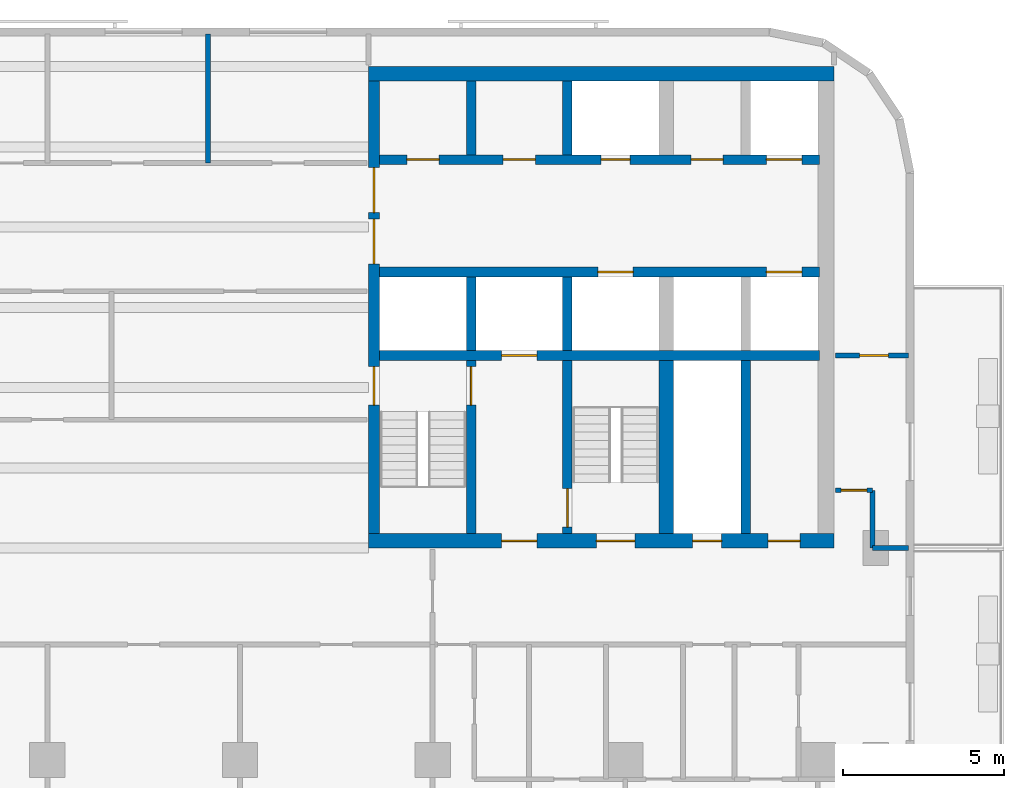
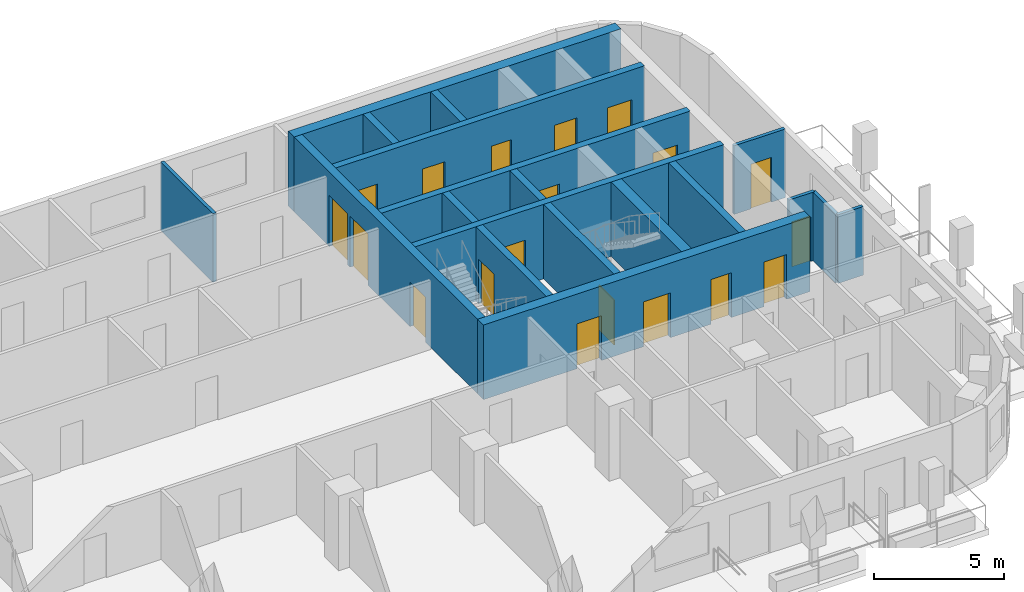
# One storey, part 6 of 11: 19 doors, 19 walls, 19 openings.
"""IFC4 building model written with IfcOpenShell, lengths in metres."""

from ifc_helpers import new_model, si_unit, direction, frame, frame_2d, origin, place, context, subcontext, project, spatial, rectangle, extrude, material, layer, layer_set, type_object, element, fill, save


model = new_model("IFC4")

# Units and contexts
model_context = context("Model", 3, precision=1e-05, world=origin(), true_north=direction((0.0, 1.0)))
body_context = subcontext(model_context, "Body", "Model", "MODEL_VIEW")
ifc_project = project(units=[si_unit("LENGTHUNIT", "METRE"), si_unit("AREAUNIT", "SQUARE_METRE"), si_unit("VOLUMEUNIT", "CUBIC_METRE"), si_unit("PLANEANGLEUNIT", "RADIAN"), si_unit("MASSUNIT", "GRAM", prefix="KILO")], contexts=[model_context])

# Site, building, storey
site_placement = place(None, origin())
site = spatial("IfcSite", under=ifc_project, at=site_placement, CompositionType="ELEMENT")
building_placement = place(site_placement, origin())
building = spatial("IfcBuilding", under=site, at=building_placement, Name="Torana Hotel and Residences", CompositionType="ELEMENT")
storey_placement = place(building_placement, frame((0.0, 0.0, 194.10009765625)))
storey = spatial("IfcBuildingStorey", under=building, at=storey_placement, Name="L50", CompositionType="ELEMENT", Elevation=194.10009765625)

# Wall, openings, doors
ifc_material_1 = material(Name="Concrete C70/85", Category="concrete")
ifc_layer_1 = layer(ifc_material_1, 0.300048828125)
ifc_layer_set_1 = layer_set([ifc_layer_1], Name="CORE WALL 300 C70/85")
wall_type_1 = type_object("IfcWallType", Name="CORE WALL 300 C70/85", PredefinedType="SHEAR", material=ifc_layer_set_1)
wall_1_placement = place(storey_placement, frame((10.35009765625, -2.89990234375, 0.0), z_axis=(0.0, 0.0, 1.0), x_axis=(1.0, 0.0, 0.0)))
wall_1 = element("IfcWall", 1, at=wall_1_placement, inside=storey, type_object=wall_type_1, Name="Core wall E row-N", PredefinedType="SHEAR", context=body_context, shape_type="SweptSolid", body=[
    extrude(rectangle(XDim=13.699951171875, YDim=0.300048828125, at=frame_2d((6.85009765625, 0.0))), origin(), (0.0, 0.0, 1.0), 3.5),
])
opening_1_placement = place(wall_1_placement, frame((12.050048828125, 0.0, 0.0)))
opening_1 = element("IfcOpeningElement", 2, at=opening_1_placement, cuts=wall_1, Name="Opening LD", PredefinedType="OPENING", context=body_context, shape_type="SweptSolid", body=[
    extrude(rectangle(XDim=1.10009765625, YDim=2.10009765625, at=frame_2d((0.550048828125, 1.050048828125))), frame((0.0, 0.159912109375, 0.0), z_axis=(0.0, -1.0, 0.0), x_axis=(1.0, 0.0, 0.0)), (0.0, 0.0, 1.0), 0.320068359375),
])
opening_2_placement = place(wall_1_placement, frame((6.89990234375, 0.0, 0.0)))
opening_2 = element("IfcOpeningElement", 3, at=opening_2_placement, cuts=wall_1, Name="Opening L50-21", PredefinedType="OPENING", context=body_context, shape_type="SweptSolid", body=[
    extrude(rectangle(XDim=0.89990234375, YDim=2.10009765625, at=frame_2d((0.449951171875, 1.050048828125))), frame((0.0, 0.159912109375, 0.0), z_axis=(0.0, -1.0, 0.0), x_axis=(1.0, 0.0, 0.0)), (0.0, 0.0, 1.0), 0.320068359375),
])
opening_3_placement = place(wall_1_placement, frame((0.85009765625, 0.0, 0.0)))
opening_3 = element("IfcOpeningElement", 4, at=opening_3_placement, cuts=wall_1, Name="Opening L50-22", PredefinedType="OPENING", context=body_context, shape_type="SweptSolid", body=[
    extrude(rectangle(XDim=1.0, YDim=2.10009765625, at=frame_2d((0.5, 1.050048828125))), frame((0.0, 0.159912109375, 0.0), z_axis=(0.0, -1.0, 0.0), x_axis=(1.0, 0.0, 0.0)), (0.0, 0.0, 1.0), 0.320068359375),
])
opening_4_placement = place(wall_1_placement, frame((3.85009765625, 0.0, 0.0)))
opening_4 = element("IfcOpeningElement", 5, at=opening_4_placement, cuts=wall_1, Name="Opening L50-23", PredefinedType="OPENING", context=body_context, shape_type="SweptSolid", body=[
    extrude(rectangle(XDim=1.0, YDim=2.10009765625, at=frame_2d((0.5, 1.050048828125))), frame((0.0, 0.159912109375, 0.0), z_axis=(0.0, -1.0, 0.0), x_axis=(1.0, 0.0, 0.0)), (0.0, 0.0, 1.0), 0.320068359375),
])
opening_5_placement = place(wall_1_placement, frame((9.699951171875, 0.0, 0.0)))
opening_5 = element("IfcOpeningElement", 6, at=opening_5_placement, cuts=wall_1, Name="Opening L50-24", PredefinedType="OPENING", context=body_context, shape_type="SweptSolid", body=[
    extrude(rectangle(XDim=1.0, YDim=2.10009765625, at=frame_2d((0.5, 1.050048828125))), frame((0.0, 0.159912109375, 0.0), z_axis=(0.0, -1.0, 0.0), x_axis=(1.0, 0.0, 0.0)), (0.0, 0.0, 1.0), 0.320068359375),
])
ifc_material_2 = material(Name="Steel S235", Category="steel")
door_type_1 = type_object("IfcDoorType", Name="CORE ROOM FIRE DOOR D14 1000x2100", OperationType="SINGLE_SWING_LEFT", PredefinedType="DOOR", material=ifc_material_2)
door_1_placement = place(opening_3_placement, origin())
door_1 = element("IfcDoor", 7, at=door_1_placement, inside=storey, type_object=door_type_1, Name="N0 door L50", OperationType="SINGLE_SWING_RIGHT", OverallHeight=2.10009765625, OverallWidth=1.0, PredefinedType="DOOR", context=body_context, shape_type="SweptSolid", body=[
    extrude(rectangle(XDim=1.0, YDim=2.10009765625, at=frame_2d((0.5, 1.050048828125))), frame((0.0, 0.02490234375, 0.0), z_axis=(0.0, -1.0, 0.0), x_axis=(1.0, 0.0, 0.0)), (0.0, 0.0, 1.0), 0.050048828125),
])
fill(opening_3, door_1)
door_2_placement = place(opening_4_placement, origin())
door_2 = element("IfcDoor", 8, at=door_2_placement, inside=storey, type_object=door_type_1, Name="N1 door L50", OperationType="SINGLE_SWING_RIGHT", OverallHeight=2.10009765625, OverallWidth=1.0, PredefinedType="DOOR", context=body_context, shape_type="SweptSolid", body=[
    extrude(rectangle(XDim=1.0, YDim=2.10009765625, at=frame_2d((0.5, 1.050048828125))), frame((0.0, 0.02490234375, 0.0), z_axis=(0.0, -1.0, 0.0), x_axis=(1.0, 0.0, 0.0)), (0.0, 0.0, 1.0), 0.050048828125),
])
fill(opening_4, door_2)
door_3_placement = place(opening_5_placement, origin())
door_3 = element("IfcDoor", 9, at=door_3_placement, inside=storey, type_object=door_type_1, Name="Freed-S2 door L50", OperationType="SINGLE_SWING_RIGHT", OverallHeight=2.10009765625, OverallWidth=1.0, PredefinedType="DOOR", context=body_context, shape_type="SweptSolid", body=[
    extrude(rectangle(XDim=1.0, YDim=2.10009765625, at=frame_2d((0.5, 1.050048828125))), frame((0.0, 0.02490234375, 0.0), z_axis=(0.0, -1.0, 0.0), x_axis=(1.0, 0.0, 0.0)), (0.0, 0.0, 1.0), 0.050048828125),
])
fill(opening_5, door_3)
ifc_material_3 = material(Name="Stainless steel 316", Category="steel")
door_type_2 = type_object("IfcDoorType", Name="LIFT LANDING DOOR LD 1100x2100", OperationType="DOUBLE_DOOR_SLIDING", PredefinedType="USERDEFINED", material=ifc_material_3)
door_4_placement = place(opening_1_placement, origin())
door_4 = element("IfcDoor", 10, at=door_4_placement, inside=storey, type_object=door_type_2, Name="Lift landing door M3 L50", ObjectType="LIFT LANDING DOOR", OperationType="DOUBLE_DOOR_SLIDING", OverallHeight=2.10009765625, OverallWidth=1.10009765625, PredefinedType="USERDEFINED", context=body_context, shape_type="SweptSolid", body=[
    extrude(rectangle(XDim=1.10009765625, YDim=2.10009765625, at=frame_2d((0.550048828125, 1.050048828125))), frame((0.0, 0.02490234375, 0.0), z_axis=(0.0, -1.0, 0.0), x_axis=(1.0, 0.0, 0.0)), (0.0, 0.0, 1.0), 0.050048828125),
])
fill(opening_1, door_4)
ifc_material_4 = material(Name="Steel S235", Category="steel")
door_type_3 = type_object("IfcDoorType", Name="RISER ACCESS DOOR D5 900x2100", OperationType="SINGLE_SWING_LEFT", PredefinedType="DOOR", material=ifc_material_4)
door_5_placement = place(opening_2_placement, origin())
door_5 = element("IfcDoor", 11, at=door_5_placement, inside=storey, type_object=door_type_3, Name="N2 door L50", OperationType="SINGLE_SWING_RIGHT", OverallHeight=2.10009765625, OverallWidth=0.89990234375, PredefinedType="DOOR", context=body_context, shape_type="SweptSolid", body=[
    extrude(rectangle(XDim=0.89990234375, YDim=2.10009765625, at=frame_2d((0.449951171875, 1.050048828125))), frame((0.0, 0.02490234375, 0.0), z_axis=(0.0, -1.0, 0.0), x_axis=(1.0, 0.0, 0.0)), (0.0, 0.0, 1.0), 0.050048828125),
])
fill(opening_2, door_5)

wall_2_placement = place(storey_placement, frame((10.35009765625, -6.39990234375, 0.0), z_axis=(0.0, 0.0, 1.0), x_axis=(1.0, 0.0, 0.0)))
wall_2 = element("IfcWall", 12, at=wall_2_placement, inside=storey, type_object=wall_type_1, Name="Core wall E row-S", PredefinedType="SHEAR", context=body_context, shape_type="SweptSolid", body=[
    extrude(rectangle(XDim=13.699951171875, YDim=0.300048828125, at=frame_2d((6.85009765625, 0.0))), origin(), (0.0, 0.0, 1.0), 3.5),
])
opening_6_placement = place(wall_2_placement, frame((12.050048828125, 0.0, 0.0)))
opening_6 = element("IfcOpeningElement", 13, at=opening_6_placement, cuts=wall_2, Name="Opening LD", PredefinedType="OPENING", context=body_context, shape_type="SweptSolid", body=[
    extrude(rectangle(XDim=1.10009765625, YDim=2.10009765625, at=frame_2d((0.550048828125, 1.050048828125))), frame((0.0, 0.159912109375, 0.0), z_axis=(0.0, -1.0, 0.0), x_axis=(1.0, 0.0, 0.0)), (0.0, 0.0, 1.0), 0.320068359375),
])
opening_7_placement = place(wall_2_placement, frame((6.800048828125, 0.0, 0.0)))
opening_7 = element("IfcOpeningElement", 14, at=opening_7_placement, cuts=wall_2, Name="Opening LD", PredefinedType="OPENING", context=body_context, shape_type="SweptSolid", body=[
    extrude(rectangle(XDim=1.10009765625, YDim=2.10009765625, at=frame_2d((0.550048828125, 1.050048828125))), frame((0.0, 0.159912109375, 0.0), z_axis=(0.0, -1.0, 0.0), x_axis=(1.0, 0.0, 0.0)), (0.0, 0.0, 1.0), 0.320068359375),
])
door_6_placement = place(opening_6_placement, origin())
door_6 = element("IfcDoor", 15, at=door_6_placement, inside=storey, type_object=door_type_2, Name="Lift landing door M4 L50", ObjectType="LIFT LANDING DOOR", OperationType="DOUBLE_DOOR_SLIDING", OverallHeight=2.10009765625, OverallWidth=1.10009765625, PredefinedType="USERDEFINED", context=body_context, shape_type="SweptSolid", body=[
    extrude(rectangle(XDim=1.10009765625, YDim=2.10009765625, at=frame_2d((0.550048828125, 1.050048828125))), frame((0.0, 0.02490234375, 0.0), z_axis=(0.0, -1.0, 0.0), x_axis=(1.0, 0.0, 0.0)), (0.0, 0.0, 1.0), 0.050048828125),
])
fill(opening_6, door_6)
door_7_placement = place(opening_7_placement, origin())
door_7 = element("IfcDoor", 16, at=door_7_placement, inside=storey, type_object=door_type_2, Name="Lift landing door SV2 L50", ObjectType="LIFT LANDING DOOR", OperationType="DOUBLE_DOOR_SLIDING", OverallHeight=2.10009765625, OverallWidth=1.10009765625, PredefinedType="USERDEFINED", context=body_context, shape_type="SweptSolid", body=[
    extrude(rectangle(XDim=1.10009765625, YDim=2.10009765625, at=frame_2d((0.550048828125, 1.050048828125))), frame((0.0, 0.02490234375, 0.0), z_axis=(0.0, -1.0, 0.0), x_axis=(1.0, 0.0, 0.0)), (0.0, 0.0, 1.0), 0.050048828125),
])
fill(opening_7, door_7)

# Wall, opening, door
wall_3_placement = place(storey_placement, frame((10.35009765625, -9.0, 0.0), z_axis=(0.0, 0.0, 1.0), x_axis=(1.0, 0.0, 0.0)))
wall_3 = element("IfcWall", 17, at=wall_3_placement, inside=storey, type_object=wall_type_1, Name="Core wall E band", PredefinedType="SHEAR", context=body_context, shape_type="SweptSolid", body=[
    extrude(rectangle(XDim=13.699951171875, YDim=0.300048828125, at=frame_2d((6.85009765625, 0.0))), origin(), (0.0, 0.0, 1.0), 3.5),
])
opening_8_placement = place(wall_3_placement, frame((3.800048828125, 0.0, 0.0)))
opening_8 = element("IfcOpeningElement", 18, at=opening_8_placement, cuts=wall_3, Name="Opening LD", PredefinedType="OPENING", context=body_context, shape_type="SweptSolid", body=[
    extrude(rectangle(XDim=1.10009765625, YDim=2.10009765625, at=frame_2d((0.550048828125, 1.050048828125))), frame((0.0, 0.159912109375, 0.0), z_axis=(0.0, -1.0, 0.0), x_axis=(1.0, 0.0, 0.0)), (0.0, 0.0, 1.0), 0.320068359375),
])
door_8_placement = place(opening_8_placement, origin())
door_8 = element("IfcDoor", 19, at=door_8_placement, inside=storey, type_object=door_type_2, Name="Lift landing door FF2 L50", ObjectType="LIFT LANDING DOOR", OperationType="DOUBLE_DOOR_SLIDING", OverallHeight=2.10009765625, OverallWidth=1.10009765625, PredefinedType="USERDEFINED", context=body_context, shape_type="SweptSolid", body=[
    extrude(rectangle(XDim=1.10009765625, YDim=2.10009765625, at=frame_2d((0.550048828125, 1.050048828125))), frame((0.0, 0.02490234375, 0.0), z_axis=(0.0, -1.0, 0.0), x_axis=(1.0, 0.0, 0.0)), (0.0, 0.0, 1.0), 0.050048828125),
])
fill(opening_8, door_8)

# Walls
for number, where, z_axis, x_axis, name in (
    (20, (13.199951171875, -2.75, 0.0), (0.0, 0.0, 1.0), (0.0, 1.0, 0.0), "Core wall E x3.05-N"),
    (21, (13.199951171875, -8.85009765625, 0.0), (0.0, 0.0, 1.0), (0.0, 1.0, 0.0), "Core wall E x3.05-S"),
):
    element("IfcWall", number, at=place(storey_placement, frame(where, z_axis=z_axis, x_axis=x_axis)), inside=storey, type_object=wall_type_1, Name=name, PredefinedType="SHEAR", context=body_context, shape_type="SweptSolid", body=[
        extrude(rectangle(XDim=2.300048828125, YDim=0.300048828125, at=frame_2d((1.14990234375, 0.0))), origin(), (0.0, 0.0, 1.0), 3.5),
    ])

# Wall, opening, door
wall_4_placement = place(storey_placement, frame((13.199951171875, -14.550048828125, 0.0), z_axis=(0.0, 0.0, 1.0), x_axis=(0.0, 1.0, 0.0)))
wall_4 = element("IfcWall", 22, at=wall_4_placement, inside=storey, type_object=wall_type_1, Name="Core wall E x3.05-band", PredefinedType="SHEAR", context=body_context, shape_type="SweptSolid", body=[
    extrude(rectangle(XDim=5.400146484375, YDim=0.300048828125, at=frame_2d((2.7001953125, 0.0))), origin(), (0.0, 0.0, 1.0), 3.5),
])
opening_9_placement = place(wall_4_placement, frame((4.0, 0.0, 0.0)))
opening_9 = element("IfcOpeningElement", 23, at=opening_9_placement, cuts=wall_4, Name="Opening L50-25", PredefinedType="OPENING", context=body_context, shape_type="SweptSolid", body=[
    extrude(rectangle(XDim=1.199951171875, YDim=2.10009765625, at=frame_2d((0.60009765625, 1.050048828125))), frame((0.0, 0.159912109375, 0.0), z_axis=(0.0, -1.0, 0.0), x_axis=(1.0, 0.0, 0.0)), (0.0, 0.0, 1.0), 0.320068359375),
])
ifc_material_5 = material(Name="Steel S235", Category="steel")
door_type_4 = type_object("IfcDoorType", Name="STAIR FIRE DOOR D3 1200x2100", OperationType="SINGLE_SWING_LEFT", PredefinedType="DOOR", material=ifc_material_5)
door_9_placement = place(opening_9_placement, origin())
door_9 = element("IfcDoor", 24, at=door_9_placement, inside=storey, type_object=door_type_4, Name="Stair-A-lobby door L50", OperationType="SINGLE_SWING_LEFT", OverallHeight=2.10009765625, OverallWidth=1.199951171875, PredefinedType="DOOR", context=body_context, shape_type="SweptSolid", body=[
    extrude(rectangle(XDim=1.199951171875, YDim=2.10009765625, at=frame_2d((0.60009765625, 1.050048828125))), frame((0.0, 0.02490234375, 0.0), z_axis=(0.0, -1.0, 0.0), x_axis=(1.0, 0.0, 0.0)), (0.0, 0.0, 1.0), 0.050048828125),
])
fill(opening_9, door_9)

# Walls
for number, where, z_axis, x_axis, name in (
    (25, (16.199951171875, -2.75, 0.0), (0.0, 0.0, 1.0), (0.0, 1.0, 0.0), "Core wall E x6.05-N"),
    (26, (16.199951171875, -8.85009765625, 0.0), (0.0, 0.0, 1.0), (0.0, 1.0, 0.0), "Core wall E x6.05-S"),
):
    element("IfcWall", number, at=place(storey_placement, frame(where, z_axis=z_axis, x_axis=x_axis)), inside=storey, type_object=wall_type_1, Name=name, PredefinedType="SHEAR", context=body_context, shape_type="SweptSolid", body=[
        extrude(rectangle(XDim=2.300048828125, YDim=0.300048828125, at=frame_2d((1.14990234375, 0.0))), origin(), (0.0, 0.0, 1.0), 3.5),
    ])

# Wall, opening, door
wall_5_placement = place(storey_placement, frame((16.199951171875, -14.550048828125, 0.0), z_axis=(0.0, 0.0, 1.0), x_axis=(0.0, 1.0, 0.0)))
wall_5 = element("IfcWall", 27, at=wall_5_placement, inside=storey, type_object=wall_type_1, Name="Core wall E x6.05-band", PredefinedType="SHEAR", context=body_context, shape_type="SweptSolid", body=[
    extrude(rectangle(XDim=5.400146484375, YDim=0.300048828125, at=frame_2d((2.7001953125, 0.0))), origin(), (0.0, 0.0, 1.0), 3.5),
])
opening_10_placement = place(wall_5_placement, frame((0.199951171875, 0.0, 0.0)))
opening_10 = element("IfcOpeningElement", 28, at=opening_10_placement, cuts=wall_5, Name="Opening L50-26", PredefinedType="OPENING", context=body_context, shape_type="SweptSolid", body=[
    extrude(rectangle(XDim=1.199951171875, YDim=2.10009765625, at=frame_2d((0.60009765625, 1.050048828125))), frame((0.0, 0.159912109375, 0.0), z_axis=(0.0, -1.0, 0.0), x_axis=(1.0, 0.0, 0.0)), (0.0, 0.0, 1.0), 0.320068359375),
])
door_10_placement = place(opening_10_placement, frame((0.60009765625, 0.0, 0.0), z_axis=(0.0, 0.0, 1.0), x_axis=(-1.0, 0.0, 0.0)))
door_10 = element("IfcDoor", 29, at=door_10_placement, inside=storey, type_object=door_type_4, Name="Stair-B-lobby door L50", OperationType="SINGLE_SWING_LEFT", OverallHeight=2.10009765625, OverallWidth=1.199951171875, PredefinedType="DOOR", context=body_context, shape_type="SweptSolid", body=[
    extrude(rectangle(XDim=1.199951171875, YDim=2.10009765625, at=frame_2d((0.0, 1.050048828125))), frame((0.0, -0.02490234375, 0.0), z_axis=(0.0, 1.0, 0.0), x_axis=(-1.0, 0.0, 0.0)), (0.0, 0.0, 1.0), 0.050048828125),
])
fill(opening_10, door_10)

# Wall
wall_6_placement = place(storey_placement, frame((21.75, -14.550048828125, 0.0), z_axis=(0.0, 0.0, 1.0), x_axis=(0.0, 1.0, 0.0)))
element("IfcWall", 30, at=wall_6_placement, inside=storey, type_object=wall_type_1, Name="Core wall E mm-band", PredefinedType="SHEAR", context=body_context, shape_type="SweptSolid", body=[
    extrude(rectangle(XDim=5.400146484375, YDim=0.300048828125, at=frame_2d((2.7001953125, 0.0))), origin(), (0.0, 0.0, 1.0), 3.5),
])

# Wall, openings, doors
ifc_material_6 = material(Name="Concrete C70/85", Category="concrete")
ifc_layer_2 = layer(ifc_material_6, 0.35009765625)
ifc_layer_set_2 = layer_set([ifc_layer_2], Name="CORE WALL 350 C70/85")
wall_type_2 = type_object("IfcWallType", Name="CORE WALL 350 C70/85", PredefinedType="SHEAR", material=ifc_layer_set_2)
wall_7_placement = place(storey_placement, frame((10.175048828125, -14.550048828125, 0.0), z_axis=(0.0, 0.0, 1.0), x_axis=(0.0, 1.0, 0.0)))
wall_7 = element("IfcWall", 31, at=wall_7_placement, inside=storey, type_object=wall_type_2, Name="Core wall E arch", PredefinedType="SHEAR", context=body_context, shape_type="SweptSolid", body=[
    extrude(rectangle(XDim=14.10009765625, YDim=0.35009765625, at=frame_2d((7.050048828125, 0.0))), origin(), (0.0, 0.0, 1.0), 3.5),
])
opening_11_placement = place(wall_7_placement, frame((8.39990234375, 0.0, 0.0)))
opening_11 = element("IfcOpeningElement", 32, at=opening_11_placement, cuts=wall_7, Name="Opening L50-14", PredefinedType="OPENING", context=body_context, shape_type="SweptSolid", body=[
    extrude(rectangle(XDim=1.39990234375, YDim=2.39990234375, at=frame_2d((0.699951171875, 1.199951171875))), frame((0.0, 0.18505859375, 0.0), z_axis=(0.0, -1.0, 0.0), x_axis=(1.0, 0.0, 0.0)), (0.0, 0.0, 1.0), 0.3701171875),
])
opening_12_placement = place(wall_7_placement, frame((10.0, 0.0, 0.0)))
opening_12 = element("IfcOpeningElement", 33, at=opening_12_placement, cuts=wall_7, Name="Opening L50-15", PredefinedType="OPENING", context=body_context, shape_type="SweptSolid", body=[
    extrude(rectangle(XDim=1.39990234375, YDim=2.39990234375, at=frame_2d((0.699951171875, 1.199951171875))), frame((0.0, 0.18505859375, 0.0), z_axis=(0.0, -1.0, 0.0), x_axis=(1.0, 0.0, 0.0)), (0.0, 0.0, 1.0), 0.3701171875),
])
opening_13_placement = place(wall_7_placement, frame((4.0, 0.0, 0.0)))
opening_13 = element("IfcOpeningElement", 34, at=opening_13_placement, cuts=wall_7, Name="Opening L50-16", PredefinedType="OPENING", context=body_context, shape_type="SweptSolid", body=[
    extrude(rectangle(XDim=1.199951171875, YDim=2.10009765625, at=frame_2d((0.60009765625, 1.050048828125))), frame((0.0, 0.18505859375, 0.0), z_axis=(0.0, -1.0, 0.0), x_axis=(1.0, 0.0, 0.0)), (0.0, 0.0, 1.0), 0.3701171875),
])
ifc_material_7 = material(Name="Steel S235", Category="steel")
door_type_5 = type_object("IfcDoorType", Name="LOBBY FIRE DOOR D4 1400x2400", OperationType="DOUBLE_DOOR_SINGLE_SWING", PredefinedType="DOOR", material=ifc_material_7)
door_11_placement = place(opening_11_placement, origin())
door_11 = element("IfcDoor", 35, at=door_11_placement, inside=storey, type_object=door_type_5, Name="Lobby-1 door L50", OperationType="DOUBLE_DOOR_SINGLE_SWING", OverallHeight=2.39990234375, OverallWidth=1.39990234375, PredefinedType="DOOR", context=body_context, shape_type="SweptSolid", body=[
    extrude(rectangle(XDim=1.39990234375, YDim=2.39990234375, at=frame_2d((0.699951171875, 1.199951171875))), frame((0.0, 0.02490234375, 0.0), z_axis=(0.0, -1.0, 0.0), x_axis=(1.0, 0.0, 0.0)), (0.0, 0.0, 1.0), 0.050048828125),
])
fill(opening_11, door_11)
door_12_placement = place(opening_12_placement, origin())
door_12 = element("IfcDoor", 36, at=door_12_placement, inside=storey, type_object=door_type_5, Name="Lobby-2 door L50", OperationType="DOUBLE_DOOR_SINGLE_SWING", OverallHeight=2.39990234375, OverallWidth=1.39990234375, PredefinedType="DOOR", context=body_context, shape_type="SweptSolid", body=[
    extrude(rectangle(XDim=1.39990234375, YDim=2.39990234375, at=frame_2d((0.699951171875, 1.199951171875))), frame((0.0, 0.02490234375, 0.0), z_axis=(0.0, -1.0, 0.0), x_axis=(1.0, 0.0, 0.0)), (0.0, 0.0, 1.0), 0.050048828125),
])
fill(opening_12, door_12)
door_13_placement = place(opening_13_placement, frame((0.60009765625, 0.0, 0.0), z_axis=(0.0, 0.0, 1.0), x_axis=(-1.0, 0.0, 0.0)))
door_13 = element("IfcDoor", 37, at=door_13_placement, inside=storey, type_object=door_type_4, Name="Stair-A door L50", OperationType="SINGLE_SWING_RIGHT", OverallHeight=2.10009765625, OverallWidth=1.199951171875, PredefinedType="DOOR", context=body_context, shape_type="SweptSolid", body=[
    extrude(rectangle(XDim=1.199951171875, YDim=2.10009765625, at=frame_2d((0.0, 1.050048828125))), frame((0.0, -0.02490234375, 0.0), z_axis=(0.0, 1.0, 0.0), x_axis=(-1.0, 0.0, 0.0)), (0.0, 0.0, 1.0), 0.050048828125),
])
fill(opening_13, door_13)

# Wall
ifc_material_8 = material(Name="Concrete C70/85", Category="concrete")
ifc_layer_3 = layer(ifc_material_8, 0.449951171875)
ifc_layer_set_3 = layer_set([ifc_layer_3], Name="CORE WALL 450 C70/85")
wall_type_3 = type_object("IfcWallType", Name="CORE WALL 450 C70/85", PredefinedType="SHEAR", material=ifc_layer_set_3)
wall_8_placement = place(storey_placement, frame((10.0, -0.22509765625, 0.0), z_axis=(0.0, 0.0, 1.0), x_axis=(1.0, 0.0, 0.0)))
element("IfcWall", 38, at=wall_8_placement, inside=storey, type_object=wall_type_3, Name="Core wall E rear", PredefinedType="SHEAR", context=body_context, shape_type="SweptSolid", body=[
    extrude(rectangle(XDim=14.5, YDim=0.449951171875, at=frame_2d((7.25, 0.0))), origin(), (0.0, 0.0, 1.0), 3.5),
])

# Wall, openings, doors
wall_9_placement = place(storey_placement, frame((10.0, -14.77490234375, 0.0), z_axis=(0.0, 0.0, 1.0), x_axis=(1.0, 0.0, 0.0)))
wall_9 = element("IfcWall", 39, at=wall_9_placement, inside=storey, type_object=wall_type_3, Name="Core wall E front", PredefinedType="SHEAR", context=body_context, shape_type="SweptSolid", body=[
    extrude(rectangle(XDim=14.5, YDim=0.449951171875, at=frame_2d((7.25, 0.0))), origin(), (0.0, 0.0, 1.0), 3.5),
])
opening_14_placement = place(wall_9_placement, frame((7.10009765625, 0.0, 0.0)))
opening_14 = element("IfcOpeningElement", 40, at=opening_14_placement, cuts=wall_9, Name="Opening L50-17", PredefinedType="OPENING", context=body_context, shape_type="SweptSolid", body=[
    extrude(rectangle(XDim=1.199951171875, YDim=2.10009765625, at=frame_2d((0.60009765625, 1.050048828125))), frame((0.0, 0.23486328125, 0.0), z_axis=(0.0, -1.0, 0.0), x_axis=(1.0, 0.0, 0.0)), (0.0, 0.0, 1.0), 0.469970703125),
])
opening_15_placement = place(wall_9_placement, frame((4.14990234375, 0.0, 0.0)))
opening_15 = element("IfcOpeningElement", 41, at=opening_15_placement, cuts=wall_9, Name="Opening L50-18", PredefinedType="OPENING", context=body_context, shape_type="SweptSolid", body=[
    extrude(rectangle(XDim=1.10009765625, YDim=2.10009765625, at=frame_2d((0.550048828125, 1.050048828125))), frame((0.0, 0.23486328125, 0.0), z_axis=(0.0, -1.0, 0.0), x_axis=(1.0, 0.0, 0.0)), (0.0, 0.0, 1.0), 0.469970703125),
])
opening_16_placement = place(wall_9_placement, frame((10.10009765625, 0.0, 0.0)))
opening_16 = element("IfcOpeningElement", 42, at=opening_16_placement, cuts=wall_9, Name="Opening L50-19", PredefinedType="OPENING", context=body_context, shape_type="SweptSolid", body=[
    extrude(rectangle(XDim=0.89990234375, YDim=2.10009765625, at=frame_2d((0.449951171875, 1.050048828125))), frame((0.0, 0.23486328125, 0.0), z_axis=(0.0, -1.0, 0.0), x_axis=(1.0, 0.0, 0.0)), (0.0, 0.0, 1.0), 0.469970703125),
])
opening_17_placement = place(wall_9_placement, frame((12.449951171875, 0.0, 0.0)))
opening_17 = element("IfcOpeningElement", 43, at=opening_17_placement, cuts=wall_9, Name="Opening L50-20", PredefinedType="OPENING", context=body_context, shape_type="SweptSolid", body=[
    extrude(rectangle(XDim=1.0, YDim=2.10009765625, at=frame_2d((0.5, 1.050048828125))), frame((0.0, 0.23486328125, 0.0), z_axis=(0.0, -1.0, 0.0), x_axis=(1.0, 0.0, 0.0)), (0.0, 0.0, 1.0), 0.469970703125),
])
door_14_placement = place(opening_17_placement, origin())
door_14 = element("IfcDoor", 44, at=door_14_placement, inside=storey, type_object=door_type_1, Name="M-Room door L50", OperationType="SINGLE_SWING_RIGHT", OverallHeight=2.10009765625, OverallWidth=1.0, PredefinedType="DOOR", context=body_context, shape_type="SweptSolid", body=[
    extrude(rectangle(XDim=1.0, YDim=2.10009765625, at=frame_2d((0.5, 1.050048828125))), frame((0.0, 0.02490234375, 0.0), z_axis=(0.0, -1.0, 0.0), x_axis=(1.0, 0.0, 0.0)), (0.0, 0.0, 1.0), 0.050048828125),
])
fill(opening_17, door_14)
ifc_material_9 = material(Name="Steel S235", Category="steel")
door_type_6 = type_object("IfcDoorType", Name="FIRE-FIGHTING LOBBY DOOR D8 1100x2100", OperationType="SINGLE_SWING_LEFT", PredefinedType="DOOR", material=ifc_material_9)
door_15_placement = place(opening_15_placement, origin())
door_15 = element("IfcDoor", 45, at=door_15_placement, inside=storey, type_object=door_type_6, Name="FF-lobby door L50", OperationType="SINGLE_SWING_RIGHT", OverallHeight=2.10009765625, OverallWidth=1.10009765625, PredefinedType="DOOR", context=body_context, shape_type="SweptSolid", body=[
    extrude(rectangle(XDim=1.10009765625, YDim=2.10009765625, at=frame_2d((0.550048828125, 1.050048828125))), frame((0.0, 0.02490234375, 0.0), z_axis=(0.0, -1.0, 0.0), x_axis=(1.0, 0.0, 0.0)), (0.0, 0.0, 1.0), 0.050048828125),
])
fill(opening_15, door_15)
door_16_placement = place(opening_16_placement, origin())
door_16 = element("IfcDoor", 46, at=door_16_placement, inside=storey, type_object=door_type_3, Name="M-Riser door L50", OperationType="SINGLE_SWING_RIGHT", OverallHeight=2.10009765625, OverallWidth=0.89990234375, PredefinedType="DOOR", context=body_context, shape_type="SweptSolid", body=[
    extrude(rectangle(XDim=0.89990234375, YDim=2.10009765625, at=frame_2d((0.449951171875, 1.050048828125))), frame((0.0, 0.02490234375, 0.0), z_axis=(0.0, -1.0, 0.0), x_axis=(1.0, 0.0, 0.0)), (0.0, 0.0, 1.0), 0.050048828125),
])
fill(opening_16, door_16)
door_17_placement = place(opening_14_placement, origin())
door_17 = element("IfcDoor", 47, at=door_17_placement, inside=storey, type_object=door_type_4, Name="Stair-B door L50", OperationType="SINGLE_SWING_RIGHT", OverallHeight=2.10009765625, OverallWidth=1.199951171875, PredefinedType="DOOR", context=body_context, shape_type="SweptSolid", body=[
    extrude(rectangle(XDim=1.199951171875, YDim=2.10009765625, at=frame_2d((0.60009765625, 1.050048828125))), frame((0.0, 0.02490234375, 0.0), z_axis=(0.0, -1.0, 0.0), x_axis=(1.0, 0.0, 0.0)), (0.0, 0.0, 1.0), 0.050048828125),
])
fill(opening_14, door_17)

# Walls
wall_10_placement = place(storey_placement, frame((19.27490234375, -14.550048828125, 0.0), z_axis=(0.0, 0.0, 1.0), x_axis=(0.0, 1.0, 0.0)))
element("IfcWall", 48, at=wall_10_placement, inside=storey, type_object=wall_type_3, Name="Core wall E hm-band", PredefinedType="SHEAR", context=body_context, shape_type="SweptSolid", body=[
    extrude(rectangle(XDim=5.400146484375, YDim=0.449951171875, at=frame_2d((2.7001953125, 0.0))), origin(), (0.0, 0.0, 1.0), 3.5),
])
ifc_material_10 = material(Name="Gypsum plaster")
ifc_layer_4 = layer(ifc_material_10, 0.014892578125, Name="Plaster", Category="finish")
ifc_material_11 = material(Name="Concrete blockwork", Category="masonry")
ifc_layer_5 = layer(ifc_material_11, 0.1201171875, Name="Blockwork", Category="structure")
ifc_layer_6 = layer(ifc_material_10, 0.014892578125, Name="Plaster", Category="finish")
ifc_layer_set_4 = layer_set([ifc_layer_4, ifc_layer_5, ifc_layer_6], Name="FIRE PARTITION 150 BLOCKWORK")
wall_type_4 = type_object("IfcWallType", Name="FIRE PARTITION 150 BLOCKWORK", PredefinedType="PARTITIONING", material=ifc_layer_set_4)
wall_11_placement = place(storey_placement, frame((25.699951171875, -15.0, 0.0), z_axis=(0.0, 0.0, 1.0), x_axis=(0.0, 1.0, 0.0)))
element("IfcWall", 49, at=wall_11_placement, inside=storey, type_object=wall_type_4, Name="Partition L50", PredefinedType="PARTITIONING", context=body_context, shape_type="SweptSolid", body=[
    extrude(rectangle(XDim=1.800048828125, YDim=0.14990234375, at=frame_2d((0.89990234375, 0.0))), origin(), (0.0, 0.0, 1.0), 3.219970703125),
])
wall_12_placement = place(storey_placement, frame((25.699951171875, -15.0, 0.0), z_axis=(0.0, 0.0, 1.0), x_axis=(1.0, 0.0, 0.0)))
element("IfcWall", 50, at=wall_12_placement, inside=storey, type_object=wall_type_4, Name="Partition L50", PredefinedType="PARTITIONING", context=body_context, shape_type="SweptSolid", body=[
    extrude(rectangle(XDim=1.1201171875, YDim=0.14990234375, at=frame_2d((0.56005859375, 0.0))), origin(), (0.0, 0.0, 1.0), 3.219970703125),
])

# Wall, opening, door
wall_13_placement = place(storey_placement, frame((24.550048828125, -13.199951171875, 0.0), z_axis=(0.0, 0.0, 1.0), x_axis=(1.0, 0.0, 0.0)))
wall_13 = element("IfcWall", 51, at=wall_13_placement, inside=storey, type_object=wall_type_4, Name="Partition L50", PredefinedType="PARTITIONING", context=body_context, shape_type="SweptSolid", body=[
    extrude(rectangle(XDim=1.14990234375, YDim=0.14990234375, at=frame_2d((0.574951171875, 0.0))), origin(), (0.0, 0.0, 1.0), 3.219970703125),
])
opening_18_placement = place(wall_13_placement, frame((0.175048828125, 0.0, 0.0)))
opening_18 = element("IfcOpeningElement", 52, at=opening_18_placement, cuts=wall_13, Name="Opening L50-36", PredefinedType="OPENING", context=body_context, shape_type="SweptSolid", body=[
    extrude(rectangle(XDim=0.800048828125, YDim=2.10009765625, at=frame_2d((0.39990234375, 1.050048828125))), frame((0.0, 0.0849609375, 0.0), z_axis=(0.0, -1.0, 0.0), x_axis=(1.0, 0.0, 0.0)), (0.0, 0.0, 1.0), 0.169921875),
])
ifc_material_12 = material(Name="Steel S235", Category="steel")
door_type_7 = type_object("IfcDoorType", Name="STORE FIRE DOOR D16 800x2100", OperationType="SINGLE_SWING_LEFT", PredefinedType="DOOR", material=ifc_material_12)
door_18_placement = place(opening_18_placement, origin())
door_18 = element("IfcDoor", 53, at=door_18_placement, inside=storey, type_object=door_type_7, Name="Door L50", OperationType="SINGLE_SWING_RIGHT", OverallHeight=2.10009765625, OverallWidth=0.800048828125, PredefinedType="DOOR", context=body_context, shape_type="SweptSolid", body=[
    extrude(rectangle(XDim=0.800048828125, YDim=2.10009765625, at=frame_2d((0.39990234375, 1.050048828125))), frame((0.0, 0.02490234375, 0.0), z_axis=(0.0, -1.0, 0.0), x_axis=(1.0, 0.0, 0.0)), (0.0, 0.0, 1.0), 0.050048828125),
])
fill(opening_18, door_18)

# Wall
ifc_material_13 = material(Name="Gypsum plasterboard")
ifc_layer_7 = layer(ifc_material_13, 0.012451171875, Name="Plasterboard", Category="finish")
ifc_layer_8 = layer(ifc_material_13, 0.012451171875, Name="Plasterboard", Category="finish")
ifc_material_14 = material(Name="Steel S280GD", Category="steel")
ifc_layer_9 = layer(ifc_material_14, 0.10009765625, Name="Steel studs with mineral wool", Category="insulation")
ifc_layer_10 = layer(ifc_material_13, 0.012451171875, Name="Plasterboard", Category="finish")
ifc_layer_11 = layer(ifc_material_13, 0.012451171875, Name="Plasterboard", Category="finish")
ifc_layer_set_5 = layer_set([ifc_layer_7, ifc_layer_8, ifc_layer_9, ifc_layer_10, ifc_layer_11], Name="PARTITION 150 PLASTERBOARD")
wall_type_5 = type_object("IfcWallType", Name="PARTITION 150 PLASTERBOARD", PredefinedType="PARTITIONING", material=ifc_layer_set_5)
wall_14_placement = place(storey_placement, frame((5.0, -3.0, 0.0), z_axis=(0.0, 0.0, 1.0), x_axis=(0.0, 1.0, 0.0)))
element("IfcWall", 54, at=wall_14_placement, inside=storey, type_object=wall_type_5, Name="Partition L50", PredefinedType="PARTITIONING", context=body_context, shape_type="SweptSolid", body=[
    extrude(rectangle(XDim=4.02001953125, YDim=0.14990234375, at=frame_2d((2.010009765625, 0.0))), origin(), (0.0, 0.0, 1.0), 3.219970703125),
])

# Wall, opening, door
wall_15_placement = place(storey_placement, frame((24.550048828125, -9.0, 0.0), z_axis=(0.0, 0.0, 1.0), x_axis=(1.0, 0.0, 0.0)))
wall_15 = element("IfcWall", 55, at=wall_15_placement, inside=storey, type_object=wall_type_5, Name="Partition L50", PredefinedType="PARTITIONING", context=body_context, shape_type="SweptSolid", body=[
    extrude(rectangle(XDim=2.27001953125, YDim=0.14990234375, at=frame_2d((1.135009765625, 0.0))), origin(), (0.0, 0.0, 1.0), 3.219970703125),
])
opening_19_placement = place(wall_15_placement, frame((0.75, 0.0, 0.0)))
opening_19 = element("IfcOpeningElement", 56, at=opening_19_placement, cuts=wall_15, Name="Opening L50-62", PredefinedType="OPENING", context=body_context, shape_type="SweptSolid", body=[
    extrude(rectangle(XDim=0.89990234375, YDim=2.10009765625, at=frame_2d((0.449951171875, 1.050048828125))), frame((0.0, 0.0849609375, 0.0), z_axis=(0.0, -1.0, 0.0), x_axis=(1.0, 0.0, 0.0)), (0.0, 0.0, 1.0), 0.169921875),
])
ifc_material_15 = material(Name="Timber door, oiled ash", Category="wood")
door_type_8 = type_object("IfcDoorType", Name="ROOM DOOR D7 900x2100", OperationType="SINGLE_SWING_LEFT", PredefinedType="DOOR", material=ifc_material_15)
door_19_placement = place(opening_19_placement, origin())
door_19 = element("IfcDoor", 57, at=door_19_placement, inside=storey, type_object=door_type_8, Name="Door L50", OperationType="SINGLE_SWING_LEFT", OverallHeight=2.10009765625, OverallWidth=0.89990234375, PredefinedType="DOOR", context=body_context, shape_type="SweptSolid", body=[
    extrude(rectangle(XDim=0.89990234375, YDim=2.10009765625, at=frame_2d((0.449951171875, 1.050048828125))), frame((0.0, 0.02490234375, 0.0), z_axis=(0.0, -1.0, 0.0), x_axis=(1.0, 0.0, 0.0)), (0.0, 0.0, 1.0), 0.050048828125),
])
fill(opening_19, door_19)

save(model, "model.ifc")
